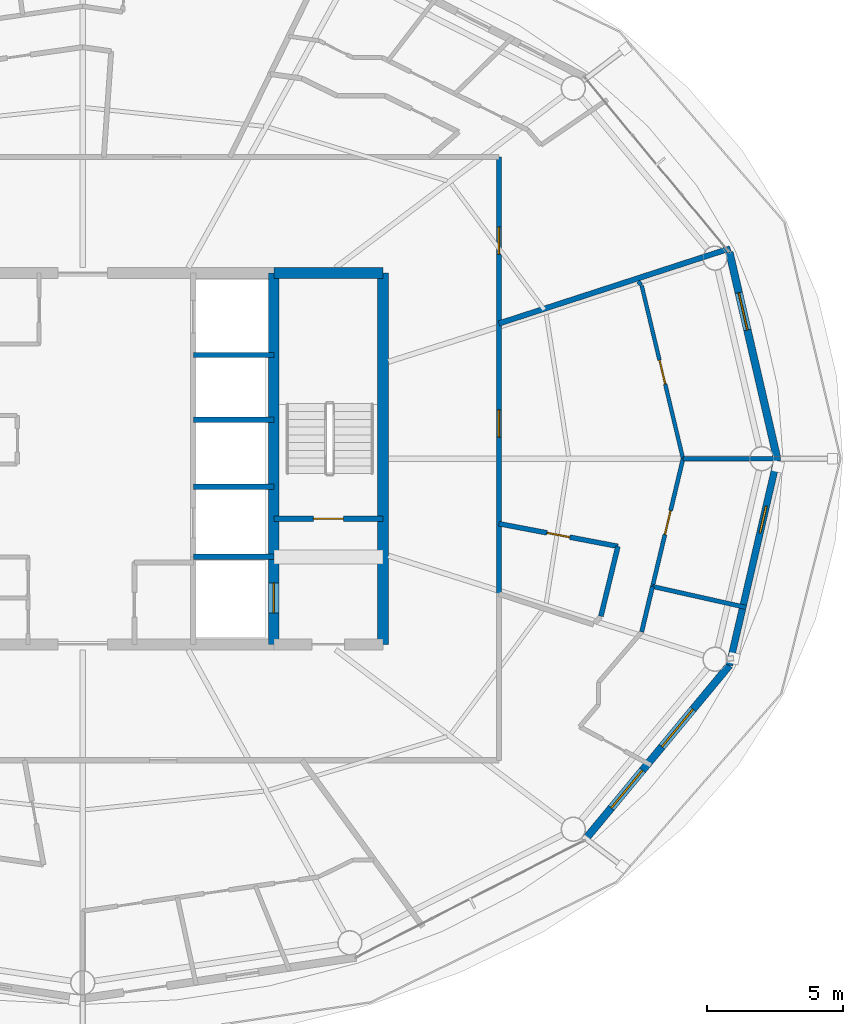
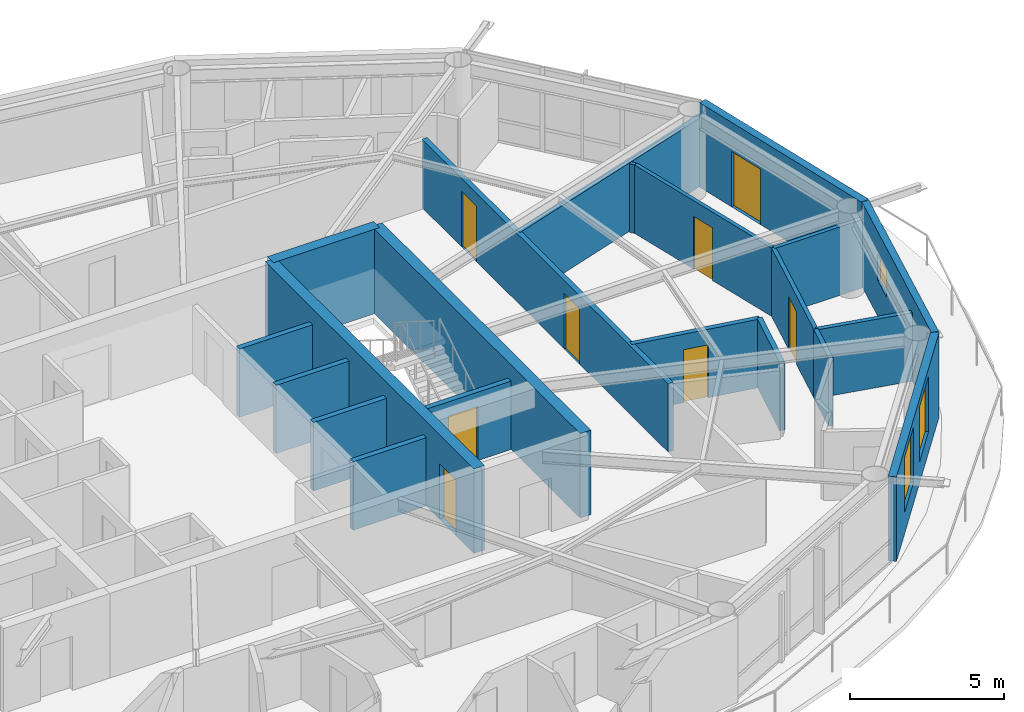
# One storey, part 18 of 23: 21 walls, 8 doors, 3 windows, 11 openings.
"""IFC4 building model written with IfcOpenShell, lengths in metres."""

from ifc_helpers import new_model, si_unit, direction, frame, frame_2d, origin, place, context, subcontext, project, spatial, rectangle, extrude, material, layer, layer_set, type_object, element, fill, save


model = new_model("IFC4")

# Units and contexts
model_context = context("Model", 3, precision=1e-05, world=origin(), true_north=direction((0.0, 1.0)))
body_context = subcontext(model_context, "Body", "Model", "MODEL_VIEW")
ifc_project = project(units=[si_unit("LENGTHUNIT", "METRE"), si_unit("AREAUNIT", "SQUARE_METRE"), si_unit("VOLUMEUNIT", "CUBIC_METRE"), si_unit("PLANEANGLEUNIT", "RADIAN"), si_unit("MASSUNIT", "GRAM", prefix="KILO")], contexts=[model_context])

# Site, building, storey
site_placement = place(None, origin())
site = spatial("IfcSite", under=ifc_project, at=site_placement, CompositionType="ELEMENT")
building_placement = place(site_placement, origin())
building = spatial("IfcBuilding", under=site, at=building_placement, Name="Sarneth Arch Tower", CompositionType="ELEMENT")
storey_placement = place(building_placement, frame((0.0, 0.0, 224.39990234375)))
storey = spatial("IfcBuildingStorey", under=building, at=storey_placement, Name="L57", CompositionType="ELEMENT", Elevation=224.39990234375)

# Walls
ifc_material_1 = material(Name="Concrete C50/60", Category="concrete")
ifc_layer_1 = layer(ifc_material_1, 0.39990234375)
ifc_layer_set_1 = layer_set([ifc_layer_1], Name="Concrete C50/60")
wall_type_1 = type_object("IfcWallType", Name="WALL-CORE-400", PredefinedType="SHEAR", material=ifc_layer_set_1)
wall_1_placement = place(storey_placement, frame((55.0, 48.800048828125, 0.0), z_axis=(0.0, 0.0, 1.0), x_axis=(1.0, 0.0, 0.0)))
element("IfcWall", 1, at=wall_1_placement, inside=storey, type_object=wall_type_1, Name="L57 Core shear wall N-E", PredefinedType="SHEAR", context=body_context, shape_type="SweptSolid", body=[
    extrude(rectangle(XDim=4.0, YDim=0.39990234375, at=frame_2d((2.0, 0.0))), origin(), (0.0, 0.0, 1.0), 3.360107421875),
])
wall_2_placement = place(storey_placement, frame((59.0, 35.199951171875, 0.0), z_axis=(0.0, 0.0, 1.0), x_axis=(0.0, 1.0, 0.0)))
element("IfcWall", 2, at=wall_2_placement, inside=storey, type_object=wall_type_1, Name="L57 Core shear wall E", PredefinedType="SHEAR", context=body_context, shape_type="SweptSolid", body=[
    extrude(rectangle(XDim=13.60009765625, YDim=0.39990234375, at=frame_2d((6.800048828125, 0.0))), origin(), (0.0, 0.0, 1.0), 3.360107421875),
])

# Wall, opening, door
wall_3_placement = place(storey_placement, frame((55.0, 35.199951171875, 0.0), z_axis=(0.0, 0.0, 1.0), x_axis=(0.0, 1.0, 0.0)))
wall_3 = element("IfcWall", 3, at=wall_3_placement, inside=storey, type_object=wall_type_1, Name="L57 Core shear wall WEB-E", PredefinedType="SHEAR", context=body_context, shape_type="SweptSolid", body=[
    extrude(rectangle(XDim=13.60009765625, YDim=0.39990234375, at=frame_2d((6.800048828125, 0.0))), origin(), (0.0, 0.0, 1.0), 3.360107421875),
])
opening_1_placement = place(wall_3_placement, frame((1.14990234375, 0.0, 0.0)))
opening_1 = element("IfcOpeningElement", 4, at=opening_1_placement, cuts=wall_3, Name="Opening LD-1", PredefinedType="OPENING", context=body_context, shape_type="SweptSolid", body=[
    extrude(rectangle(XDim=1.10009765625, YDim=2.199951171875, at=frame_2d((0.550048828125, 1.10009765625))), frame((0.0, 0.2099609375, 0.0), z_axis=(0.0, -1.0, 0.0), x_axis=(1.0, 0.0, 0.0)), (0.0, 0.0, 1.0), 0.419921875),
])
ifc_material_2 = material(Name="Brushed Stainless Steel 304 lift landing door", Category="steel")
door_type_1 = type_object("IfcDoorType", Name="DR-LIFT-SLIDE-1100", OperationType="SLIDING_TO_LEFT", PredefinedType="DOOR", material=ifc_material_2)
door_1_placement = place(opening_1_placement, origin())
door_1 = element("IfcDoor", 5, at=door_1_placement, inside=storey, type_object=door_type_1, Name="L57 Firefighting lift landing door FL-2", OperationType="SLIDING_TO_RIGHT", OverallHeight=2.199951171875, OverallWidth=1.10009765625, PredefinedType="DOOR", context=body_context, shape_type="SweptSolid", body=[
    extrude(rectangle(XDim=1.10009765625, YDim=2.199951171875, at=frame_2d((0.550048828125, 1.10009765625))), frame((0.0, 0.02490234375, 0.0), z_axis=(0.0, -1.0, 0.0), x_axis=(1.0, 0.0, 0.0)), (0.0, 0.0, 1.0), 0.050048828125),
])
fill(opening_1, door_1)

# Wall, openings, doors
ifc_material_3 = material(Name="Double steel-stud corridor fire wall", Category="steel")
ifc_layer_2 = layer(ifc_material_3, 0.18994140625)
ifc_layer_set_2 = layer_set([ifc_layer_2], Name="Double steel-stud corridor fire wall")
wall_type_2 = type_object("IfcWallType", Name="WALL-CORR-190", PredefinedType="PARTITIONING", material=ifc_layer_set_2)
wall_4_placement = place(storey_placement, frame((63.25, 53.050048828125, 0.0), z_axis=(0.0, 0.0, 1.0), x_axis=(0.0, -1.0, 0.0)))
wall_4 = element("IfcWall", 6, at=wall_4_placement, inside=storey, type_object=wall_type_2, Name="L57 Interior partition W-L57-TP-019", PredefinedType="PARTITIONING", context=body_context, shape_type="SweptSolid", body=[
    extrude(rectangle(XDim=16.03857421875, YDim=0.18994140625, at=frame_2d((8.019287109375, 0.0))), origin(), (0.0, 0.0, 1.0), 2.72021484375),
])
opening_2_placement = place(wall_4_placement, frame((9.2626953125, 0.0, 0.0)))
opening_2 = element("IfcOpeningElement", 7, at=opening_2_placement, cuts=wall_4, Name="Opening FD-08", PredefinedType="OPENING", context=body_context, shape_type="SweptSolid", body=[
    extrude(rectangle(XDim=1.0, YDim=2.199951171875, at=frame_2d((0.5, 1.10009765625))), frame((0.0, 0.10498046875, 0.0), z_axis=(0.0, -1.0, 0.0), x_axis=(1.0, 0.0, 0.0)), (0.0, 0.0, 1.0), 0.2099609375),
])
opening_3_placement = place(wall_4_placement, frame((2.564208984375, 0.0, 0.0)))
opening_3 = element("IfcOpeningElement", 8, at=opening_3_placement, cuts=wall_4, Name="Opening FD-08", PredefinedType="OPENING", context=body_context, shape_type="SweptSolid", body=[
    extrude(rectangle(XDim=1.0, YDim=2.199951171875, at=frame_2d((0.5, 1.10009765625))), frame((0.0, 0.10498046875, 0.0), z_axis=(0.0, -1.0, 0.0), x_axis=(1.0, 0.0, 0.0)), (0.0, 0.0, 1.0), 0.2099609375),
])
ifc_material_4 = material(Name="Hardwood timber acoustic fire door", Category="wood")
door_type_2 = type_object("IfcDoorType", Name="DR-FD60-1000", OperationType="SINGLE_SWING_LEFT", PredefinedType="DOOR", material=ifc_material_4)
door_2_placement = place(opening_2_placement, origin())
door_2 = element("IfcDoor", 9, at=door_2_placement, inside=storey, type_object=door_type_2, Name="L57 Interior door DR-L57-U7-ENT", OperationType="SINGLE_SWING_LEFT", OverallHeight=2.199951171875, OverallWidth=1.0, PredefinedType="DOOR", context=body_context, shape_type="SweptSolid", body=[
    extrude(rectangle(XDim=1.0, YDim=2.199951171875, at=frame_2d((0.5, 1.10009765625))), frame((0.0, 0.02490234375, 0.0), z_axis=(0.0, -1.0, 0.0), x_axis=(1.0, 0.0, 0.0)), (0.0, 0.0, 1.0), 0.050048828125),
])
fill(opening_2, door_2)
door_3_placement = place(opening_3_placement, origin())
door_3 = element("IfcDoor", 10, at=door_3_placement, inside=storey, type_object=door_type_2, Name="L57 Interior door DR-L57-U1-ENT", OperationType="SINGLE_SWING_LEFT", OverallHeight=2.199951171875, OverallWidth=1.0, PredefinedType="DOOR", context=body_context, shape_type="SweptSolid", body=[
    extrude(rectangle(XDim=1.0, YDim=2.199951171875, at=frame_2d((0.5, 1.10009765625))), frame((0.0, 0.02490234375, 0.0), z_axis=(0.0, -1.0, 0.0), x_axis=(1.0, 0.0, 0.0)), (0.0, 0.0, 1.0), 0.050048828125),
])
fill(opening_3, door_3)

# Wall, opening, window
ifc_material_5 = material(Name="Extruded terracotta rainscreen on Concrete C40/50 backing", Category="masonry")
ifc_layer_3 = layer(ifc_material_5, 0.25)
ifc_layer_set_3 = layer_set([ifc_layer_3], Name="Extruded terracotta rainscreen on Concrete C40/50 backing")
wall_type_3 = type_object("IfcWallType", Name="WALL-EXT-SPAND-250", PredefinedType="SOLIDWALL", material=ifc_layer_set_3)
wall_5_placement = place(storey_placement, frame((71.69384765625, 34.430419921875, 0.0), z_axis=(0.0, 0.0, 1.0), x_axis=(0.225635078214, 0.974211892495, 0.0)))
wall_5 = element("IfcWall", 11, at=wall_5_placement, inside=storey, type_object=wall_type_3, Name="L57 Terracotta perimeter wall 16", PredefinedType="SOLIDWALL", context=body_context, shape_type="SweptSolid", body=[
    extrude(rectangle(XDim=7.77001953125, YDim=0.25, at=frame_2d((3.885009765625, 0.0))), origin(), (0.0, 0.0, 1.0), 3.360107421875),
])
opening_4_placement = place(wall_5_placement, frame((4.98291015625, 0.0, 1.419921875)))
opening_4 = element("IfcOpeningElement", 12, at=opening_4_placement, cuts=wall_5, Name="Opening W-14", PredefinedType="OPENING", context=body_context, shape_type="SweptSolid", body=[
    extrude(rectangle(XDim=1.0, YDim=1.050048828125, at=frame_2d((0.5, 0.52490234375))), frame((0.0, 0.135009765625, 0.0), z_axis=(0.0, -1.0, 0.0), x_axis=(1.0, 0.0, 0.0)), (0.0, 0.0, 1.0), 0.27001953125),
])
ifc_material_6 = material(Name="Thermally broken Aluminium 6063-T6 and low-e laminated IGU", Category="aluminium")
window_type_1 = type_object("IfcWindowType", Name="WIN-TWR-1000x1050", PartitioningType="SINGLE_PANEL", PredefinedType="WINDOW", material=ifc_material_6)
window_1_placement = place(opening_4_placement, origin())
window_1 = element("IfcWindow", 13, at=window_1_placement, inside=storey, type_object=window_type_1, Name="L57 Dwelling bedroom window 05", OverallHeight=1.050048828125, OverallWidth=1.0, PartitioningType="SINGLE_PANEL", PredefinedType="WINDOW", context=body_context, shape_type="SweptSolid", body=[
    extrude(rectangle(XDim=1.0, YDim=1.050048828125, at=frame_2d((0.5, 0.52490234375))), frame((0.0, 0.030029296875, 0.0), z_axis=(0.0, -1.0, 0.0), x_axis=(1.0, 0.0, 0.0)), (0.0, 0.0, 1.0), 0.06005859375),
])
fill(opening_4, window_1)

# Wall, opening, door
ifc_material_7 = material(Name="Extruded terracotta rainscreen on Concrete C40/50 backing", Category="masonry")
ifc_layer_4 = layer(ifc_material_7, 0.280029296875)
ifc_layer_set_4 = layer_set([ifc_layer_4], Name="Extruded terracotta rainscreen on Concrete C40/50 backing")
wall_type_4 = type_object("IfcWallType", Name="WALL-EXT-TERRA-280", PredefinedType="SOLIDWALL", material=ifc_layer_set_4)
wall_6_placement = place(storey_placement, frame((73.447021484375, 42.0, 0.0), z_axis=(0.0, 0.0, 1.0), x_axis=(-0.225635078214, 0.974211892495, 0.0)))
wall_6 = element("IfcWall", 14, at=wall_6_placement, inside=storey, type_object=wall_type_4, Name="L57 Terracotta perimeter wall 01", PredefinedType="SOLIDWALL", context=body_context, shape_type="SweptSolid", body=[
    extrude(rectangle(XDim=7.77001953125, YDim=0.280029296875, at=frame_2d((3.885009765625, 0.0))), origin(), (0.0, 0.0, 1.0), 3.360107421875),
])
opening_5_placement = place(wall_6_placement, frame((4.842041015625, 0.0, 0.0)))
opening_5 = element("IfcOpeningElement", 15, at=opening_5_placement, cuts=wall_6, Name="Opening BD-2", PredefinedType="OPENING", context=body_context, shape_type="SweptSolid", body=[
    extrude(rectangle(XDim=1.39990234375, YDim=2.199951171875, at=frame_2d((0.699951171875, 1.10009765625))), frame((0.0, 0.14990234375, 0.0), z_axis=(0.0, -1.0, 0.0), x_axis=(1.0, 0.0, 0.0)), (0.0, 0.0, 1.0), 0.300048828125),
])
ifc_material_8 = material(Name="Thermally broken Aluminium 6063-T6 and laminated safety glass", Category="aluminium")
door_type_3 = type_object("IfcDoorType", Name="DR-BALC-GLZ-1400", OperationType="SINGLE_SWING_LEFT", PredefinedType="DOOR", material=ifc_material_8)
door_4_placement = place(opening_5_placement, origin())
door_4 = element("IfcDoor", 16, at=door_4_placement, inside=storey, type_object=door_type_3, Name="L57 Balcony glazed door 01", OperationType="SINGLE_SWING_LEFT", OverallHeight=2.199951171875, OverallWidth=1.39990234375, PredefinedType="DOOR", context=body_context, shape_type="SweptSolid", body=[
    extrude(rectangle(XDim=1.39990234375, YDim=2.199951171875, at=frame_2d((0.699951171875, 1.10009765625))), frame((0.0, 0.02490234375, 0.0), z_axis=(0.0, -1.0, 0.0), x_axis=(1.0, 0.0, 0.0)), (0.0, 0.0, 1.0), 0.050048828125),
])
fill(opening_5, door_4)

# Wall, openings, windows
wall_7_placement = place(storey_placement, frame((66.382568359375, 28.013427734375, 0.0), z_axis=(0.0, 0.0, 1.0), x_axis=(0.63761509934, 0.770355103243, 0.0)))
wall_7 = element("IfcWall", 17, at=wall_7_placement, inside=storey, type_object=wall_type_4, Name="L57 Terracotta perimeter wall 15", PredefinedType="SOLIDWALL", context=body_context, shape_type="SweptSolid", body=[
    extrude(rectangle(XDim=8.329833984375, YDim=0.280029296875, at=frame_2d((4.1650390625, 0.0))), origin(), (0.0, 0.0, 1.0), 3.360107421875),
])
opening_6_placement = place(wall_7_placement, frame((1.5419921875, 0.0, 0.85009765625)))
opening_6 = element("IfcOpeningElement", 18, at=opening_6_placement, cuts=wall_7, Name="Opening W-04", PredefinedType="OPENING", context=body_context, shape_type="SweptSolid", body=[
    extrude(rectangle(XDim=1.800048828125, YDim=2.199951171875, at=frame_2d((0.89990234375, 1.10009765625))), frame((0.0, 0.14990234375, 0.0), z_axis=(0.0, -1.0, 0.0), x_axis=(1.0, 0.0, 0.0)), (0.0, 0.0, 1.0), 0.300048828125),
])
opening_7_placement = place(wall_7_placement, frame((4.447021484375, 0.0, 0.85009765625)))
opening_7 = element("IfcOpeningElement", 19, at=opening_7_placement, cuts=wall_7, Name="Opening W-04", PredefinedType="OPENING", context=body_context, shape_type="SweptSolid", body=[
    extrude(rectangle(XDim=1.800048828125, YDim=2.199951171875, at=frame_2d((0.89990234375, 1.10009765625))), frame((0.0, 0.14990234375, 0.0), z_axis=(0.0, -1.0, 0.0), x_axis=(1.0, 0.0, 0.0)), (0.0, 0.0, 1.0), 0.300048828125),
])
ifc_material_9 = material(Name="Thermally broken Aluminium 6063-T6 and low-e laminated IGU", Category="aluminium")
window_type_2 = type_object("IfcWindowType", Name="WIN-TWR-1800x2200", PartitioningType="DOUBLE_PANEL_VERTICAL", PredefinedType="WINDOW", material=ifc_material_9)
window_2_placement = place(opening_6_placement, origin())
window_2 = element("IfcWindow", 20, at=window_2_placement, inside=storey, type_object=window_type_2, Name="L57 Exterior window 15A", OverallHeight=2.199951171875, OverallWidth=1.800048828125, PartitioningType="SINGLE_PANEL", PredefinedType="WINDOW", context=body_context, shape_type="SweptSolid", body=[
    extrude(rectangle(XDim=1.800048828125, YDim=2.199951171875, at=frame_2d((0.89990234375, 1.10009765625))), frame((0.0, 0.030029296875, 0.0), z_axis=(0.0, -1.0, 0.0), x_axis=(1.0, 0.0, 0.0)), (0.0, 0.0, 1.0), 0.06005859375),
])
fill(opening_6, window_2)
window_3_placement = place(opening_7_placement, origin())
window_3 = element("IfcWindow", 21, at=window_3_placement, inside=storey, type_object=window_type_2, Name="L57 Exterior window 15B", OverallHeight=2.199951171875, OverallWidth=1.800048828125, PartitioningType="SINGLE_PANEL", PredefinedType="WINDOW", context=body_context, shape_type="SweptSolid", body=[
    extrude(rectangle(XDim=1.800048828125, YDim=2.199951171875, at=frame_2d((0.89990234375, 1.10009765625))), frame((0.0, 0.030029296875, 0.0), z_axis=(0.0, -1.0, 0.0), x_axis=(1.0, 0.0, 0.0)), (0.0, 0.0, 1.0), 0.06005859375),
])
fill(opening_7, window_3)

# Wall, opening, door
ifc_material_10 = material(Name="Apartment internal stud partition", Category="gypsum")
ifc_layer_5 = layer(ifc_material_10, 0.139892578125)
ifc_layer_set_5 = layer_set([ifc_layer_5], Name="Apartment internal stud partition")
wall_type_5 = type_object("IfcWallType", Name="WALL-PART-140", PredefinedType="PARTITIONING", material=ifc_layer_set_5)
wall_8_placement = place(storey_placement, frame((69.996337890625, 42.0, 0.0), z_axis=(0.0, 0.0, 1.0), x_axis=(-0.232298462197, 0.972644551962, 0.0)))
wall_8 = element("IfcWall", 22, at=wall_8_placement, inside=storey, type_object=wall_type_5, Name="L57 Interior partition W-L57-TP-104", PredefinedType="PARTITIONING", context=body_context, shape_type="SweptSolid", body=[
    extrude(rectangle(XDim=6.5234375, YDim=0.139892578125, at=frame_2d((3.26171875, 0.0))), origin(), (0.0, 0.0, 1.0), 2.72021484375),
])
opening_8_placement = place(wall_8_placement, frame((2.811767578125, 0.0, 0.0)))
opening_8 = element("IfcOpeningElement", 23, at=opening_8_placement, cuts=wall_8, Name="Opening ID-01", PredefinedType="OPENING", context=body_context, shape_type="SweptSolid", body=[
    extrude(rectangle(XDim=0.89990234375, YDim=2.10009765625, at=frame_2d((0.449951171875, 1.050048828125))), frame((0.0, 0.079833984375, 0.0), z_axis=(0.0, -1.0, 0.0), x_axis=(1.0, 0.0, 0.0)), (0.0, 0.0, 1.0), 0.159912109375),
])
ifc_material_11 = material(Name="Engineered hardwood flush door", Category="wood")
door_type_4 = type_object("IfcDoorType", Name="DR-INT-900", OperationType="SINGLE_SWING_LEFT", PredefinedType="DOOR", material=ifc_material_11)
door_5_placement = place(opening_8_placement, origin())
door_5 = element("IfcDoor", 24, at=door_5_placement, inside=storey, type_object=door_type_4, Name="L57 Interior door DR-L57-U7-BED2", OperationType="SINGLE_SWING_RIGHT", OverallHeight=2.10009765625, OverallWidth=0.89990234375, PredefinedType="DOOR", context=body_context, shape_type="SweptSolid", body=[
    extrude(rectangle(XDim=0.89990234375, YDim=2.10009765625, at=frame_2d((0.449951171875, 1.050048828125))), frame((0.0, 0.02490234375, 0.0), z_axis=(0.0, -1.0, 0.0), x_axis=(1.0, 0.0, 0.0)), (0.0, 0.0, 1.0), 0.050048828125),
])
fill(opening_8, door_5)

# Wall
wall_9_placement = place(storey_placement, frame((68.468017578125, 48.360107421875, 0.0), z_axis=(0.0, 0.0, 1.0), x_axis=(-0.649065422773, 0.760732592282, 0.0)))
element("IfcWall", 25, at=wall_9_placement, inside=storey, type_object=wall_type_5, Name="L57 Interior partition W-L57-TP-105", PredefinedType="PARTITIONING", context=body_context, shape_type="SweptSolid", body=[
    extrude(rectangle(XDim=0.1748046875, YDim=0.139892578125, at=frame_2d((0.08740234375, 0.0))), origin(), (0.0, 0.0, 1.0), 2.72021484375),
])

# Wall, opening, door
ifc_material_12 = material(Name="Acoustic gypsum stud partition", Category="gypsum")
ifc_layer_6 = layer(ifc_material_12, 0.14990234375)
ifc_layer_set_6 = layer_set([ifc_layer_6], Name="Acoustic gypsum stud partition")
wall_type_6 = type_object("IfcWallType", Name="WALL-PART-150", PredefinedType="PARTITIONING", material=ifc_layer_set_6)
wall_10_placement = place(storey_placement, frame((68.878173828125, 37.318603515625, 0.0), z_axis=(0.0, 0.0, 1.0), x_axis=(0.232317655908, 0.972639967693, 0.0)))
wall_10 = element("IfcWall", 26, at=wall_10_placement, inside=storey, type_object=wall_type_6, Name="L57 Interior partition W-L57-TP-103", PredefinedType="PARTITIONING", context=body_context, shape_type="SweptSolid", body=[
    extrude(rectangle(XDim=4.81298828125, YDim=0.14990234375, at=frame_2d((2.406494140625, 0.0))), origin(), (0.0, 0.0, 1.0), 2.72021484375),
])
opening_9_placement = place(wall_10_placement, frame((1.95654296875, 0.0, 0.0)))
opening_9 = element("IfcOpeningElement", 27, at=opening_9_placement, cuts=wall_10, Name="Opening ID-01", PredefinedType="OPENING", context=body_context, shape_type="SweptSolid", body=[
    extrude(rectangle(XDim=0.89990234375, YDim=2.10009765625, at=frame_2d((0.449951171875, 1.050048828125))), frame((0.0, 0.0849609375, 0.0), z_axis=(0.0, -1.0, 0.0), x_axis=(1.0, 0.0, 0.0)), (0.0, 0.0, 1.0), 0.169921875),
])
door_6_placement = place(opening_9_placement, origin())
door_6 = element("IfcDoor", 28, at=door_6_placement, inside=storey, type_object=door_type_4, Name="L57 Interior door DR-L57-U7-BED1", OperationType="SINGLE_SWING_LEFT", OverallHeight=2.10009765625, OverallWidth=0.89990234375, PredefinedType="DOOR", context=body_context, shape_type="SweptSolid", body=[
    extrude(rectangle(XDim=0.89990234375, YDim=2.10009765625, at=frame_2d((0.449951171875, 1.050048828125))), frame((0.0, 0.02490234375, 0.0), z_axis=(0.0, -1.0, 0.0), x_axis=(1.0, 0.0, 0.0)), (0.0, 0.0, 1.0), 0.050048828125),
])
fill(opening_9, door_6)

# Walls
wall_11_placement = place(storey_placement, frame((69.996337890625, 42.0, 0.0), z_axis=(0.0, 0.0, 1.0), x_axis=(1.0, 0.0, 0.0)))
element("IfcWall", 29, at=wall_11_placement, inside=storey, type_object=wall_type_6, Name="L57 Interior partition W-L57-TP-107", PredefinedType="PARTITIONING", context=body_context, shape_type="SweptSolid", body=[
    extrude(rectangle(XDim=3.570556640625, YDim=0.14990234375, at=frame_2d((1.78515625, 0.0))), origin(), (0.0, 0.0, 1.0), 2.72021484375),
])
ifc_material_13 = material(Name="Kitchen wet service chase wall", Category="gypsum")
ifc_layer_7 = layer(ifc_material_13, 0.159912109375)
ifc_layer_set_7 = layer_set([ifc_layer_7], Name="Kitchen wet service chase wall")
wall_type_7 = type_object("IfcWallType", Name="WALL-PLUMB-160", PredefinedType="PLUMBINGWALL", material=ifc_layer_set_7)
wall_12_placement = place(storey_placement, frame((72.3076171875, 36.549560546875, 0.0), z_axis=(0.0, 0.0, 1.0), x_axis=(-0.975766823268, 0.218812948907, 0.0)))
element("IfcWall", 30, at=wall_12_placement, inside=storey, type_object=wall_type_7, Name="L57 Interior partition W-L57-TP-106", PredefinedType="PLUMBINGWALL", context=body_context, shape_type="SweptSolid", body=[
    extrude(rectangle(XDim=3.5146484375, YDim=0.159912109375, at=frame_2d((1.75732421875, 0.0))), origin(), (0.0, 0.0, 1.0), 2.72021484375),
])
wall_13_placement = place(storey_placement, frame((68.48095703125, 35.655029296875, 0.0), z_axis=(0.0, 0.0, 1.0), x_axis=(0.232244448499, 0.972657450566, 0.0)))
element("IfcWall", 31, at=wall_13_placement, inside=storey, type_object=wall_type_7, Name="L57 Interior partition W-L57-TP-098", PredefinedType="PLUMBINGWALL", context=body_context, shape_type="SweptSolid", body=[
    extrude(rectangle(XDim=1.71044921875, YDim=0.159912109375, at=frame_2d((0.855224609375, 0.0))), origin(), (0.0, 0.0, 1.0), 2.72021484375),
])

# Wall, opening, door
ifc_material_14 = material(Name="Moisture-resistant plumbing chase wall", Category="gypsum")
ifc_layer_8 = layer(ifc_material_14, 0.179931640625)
ifc_layer_set_8 = layer_set([ifc_layer_8], Name="Moisture-resistant plumbing chase wall")
wall_type_8 = type_object("IfcWallType", Name="WALL-PLUMB-180", PredefinedType="PLUMBINGWALL", material=ifc_layer_set_8)
wall_14_placement = place(storey_placement, frame((67.61083984375, 38.789306640625, 0.0), z_axis=(0.0, 0.0, 1.0), x_axis=(-0.982402054119, 0.186778489295, 0.0)))
wall_14 = element("IfcWall", 32, at=wall_14_placement, inside=storey, type_object=wall_type_8, Name="L57 Interior partition W-L57-TP-102", PredefinedType="PLUMBINGWALL", context=body_context, shape_type="SweptSolid", body=[
    extrude(rectangle(XDim=4.43896484375, YDim=0.179931640625, at=frame_2d((2.219482421875, 0.0))), origin(), (0.0, 0.0, 1.0), 2.72021484375),
])
opening_10_placement = place(wall_14_placement, frame((1.79443359375, 0.0, 0.0)))
opening_10 = element("IfcOpeningElement", 33, at=opening_10_placement, cuts=wall_14, Name="Opening ID-02", PredefinedType="OPENING", context=body_context, shape_type="SweptSolid", body=[
    extrude(rectangle(XDim=0.85009765625, YDim=2.10009765625, at=frame_2d((0.425048828125, 1.050048828125))), frame((0.0, 0.099853515625, 0.0), z_axis=(0.0, -1.0, 0.0), x_axis=(1.0, 0.0, 0.0)), (0.0, 0.0, 1.0), 0.199951171875),
])
ifc_material_15 = material(Name="Moisture-resistant bathroom timber door", Category="wood")
door_type_5 = type_object("IfcDoorType", Name="DR-INT-850", OperationType="SINGLE_SWING_RIGHT", PredefinedType="DOOR", material=ifc_material_15)
door_7_placement = place(opening_10_placement, origin())
door_7 = element("IfcDoor", 34, at=door_7_placement, inside=storey, type_object=door_type_5, Name="L57 Interior door DR-L57-U7-BATH", OperationType="SINGLE_SWING_LEFT", OverallHeight=2.10009765625, OverallWidth=0.85009765625, PredefinedType="DOOR", context=body_context, shape_type="SweptSolid", body=[
    extrude(rectangle(XDim=0.85009765625, YDim=2.10009765625, at=frame_2d((0.425048828125, 1.050048828125))), frame((0.0, 0.02490234375, 0.0), z_axis=(0.0, -1.0, 0.0), x_axis=(1.0, 0.0, 0.0)), (0.0, 0.0, 1.0), 0.050048828125),
])
fill(opening_10, door_7)

# Wall
wall_15_placement = place(storey_placement, frame((66.987548828125, 36.22900390625, 0.0), z_axis=(0.0, 0.0, 1.0), x_axis=(0.236535980753, 0.971622730183, 0.0)))
element("IfcWall", 35, at=wall_15_placement, inside=storey, type_object=wall_type_8, Name="L57 Interior partition W-L57-TP-101", PredefinedType="PLUMBINGWALL", context=body_context, shape_type="SweptSolid", body=[
    extrude(rectangle(XDim=2.635009765625, YDim=0.179931640625, at=frame_2d((1.3173828125, 0.0))), origin(), (0.0, 0.0, 1.0), 2.72021484375),
])

# Wall, opening, door
ifc_material_16 = material(Name="Aerated concrete blockwork C25/30", Category="masonry")
ifc_layer_9 = layer(ifc_material_16, 0.199951171875)
ifc_layer_set_9 = layer_set([ifc_layer_9], Name="Aerated concrete blockwork C25/30")
wall_type_9 = type_object("IfcWallType", Name="WALL-SHAFT-200", PredefinedType="SOLIDWALL", material=ifc_layer_set_9)
wall_16_placement = place(storey_placement, frame((55.0, 39.800048828125, 0.0), z_axis=(0.0, 0.0, 1.0), x_axis=(1.0, 0.0, 0.0)))
wall_16 = element("IfcWall", 36, at=wall_16_placement, inside=storey, type_object=wall_type_9, Name="L57 Interior partition W-L57-ST2-S", PredefinedType="SOLIDWALL", context=body_context, shape_type="SweptSolid", body=[
    extrude(rectangle(XDim=4.0, YDim=0.199951171875, at=frame_2d((2.0, 0.0))), origin(), (0.0, 0.0, 1.0), 2.72021484375),
])
opening_11_placement = place(wall_16_placement, frame((1.449951171875, 0.0, 0.0)))
opening_11 = element("IfcOpeningElement", 37, at=opening_11_placement, cuts=wall_16, Name="Opening FD-03", PredefinedType="OPENING", context=body_context, shape_type="SweptSolid", body=[
    extrude(rectangle(XDim=1.10009765625, YDim=2.14990234375, at=frame_2d((0.550048828125, 1.074951171875))), frame((0.0, 0.10986328125, 0.0), z_axis=(0.0, -1.0, 0.0), x_axis=(1.0, 0.0, 0.0)), (0.0, 0.0, 1.0), 0.219970703125),
])
ifc_material_17 = material(Name="Galvanised Steel S275 fire door set", Category="steel")
door_type_6 = type_object("IfcDoorType", Name="DR-FD90-1100", OperationType="SINGLE_SWING_LEFT", PredefinedType="DOOR", material=ifc_material_17)
door_8_placement = place(opening_11_placement, origin())
door_8 = element("IfcDoor", 38, at=door_8_placement, inside=storey, type_object=door_type_6, Name="L57 Interior door DR-L57-ST2", OperationType="SINGLE_SWING_RIGHT", OverallHeight=2.14990234375, OverallWidth=1.10009765625, PredefinedType="DOOR", context=body_context, shape_type="SweptSolid", body=[
    extrude(rectangle(XDim=1.10009765625, YDim=2.14990234375, at=frame_2d((0.550048828125, 1.074951171875))), frame((0.0, 0.02490234375, 0.0), z_axis=(0.0, -1.0, 0.0), x_axis=(1.0, 0.0, 0.0)), (0.0, 0.0, 1.0), 0.050048828125),
])
fill(opening_11, door_8)

# Walls
for number, where, z_axis, x_axis, name in (
    (39, (52.050048828125, 38.39990234375, 0.0), (0.0, 0.0, 1.0), (1.0, 0.0, 0.0), "L57 Interior partition W-L57-FL2-N"),
    (40, (52.050048828125, 40.97998046875, 0.0), (0.0, 0.0, 1.0), (1.0, 0.0, 0.0), "L57 Interior partition W-L57-EB-DIV-4098"),
    (41, (52.050048828125, 43.419921875, 0.0), (0.0, 0.0, 1.0), (1.0, 0.0, 0.0), "L57 Interior partition W-L57-EB-DIV-4342"),
    (42, (52.050048828125, 45.800048828125, 0.0), (0.0, 0.0, 1.0), (1.0, 0.0, 0.0), "L57 Interior partition W-L57-EB-DIV-4580"),
):
    element("IfcWall", number, at=place(storey_placement, frame(where, z_axis=z_axis, x_axis=x_axis)), inside=storey, type_object=wall_type_9, Name=name, PredefinedType="SOLIDWALL", context=body_context, shape_type="SweptSolid", body=[
        extrude(rectangle(XDim=2.949951171875, YDim=0.199951171875, at=frame_2d((1.47509765625, 0.0))), origin(), (0.0, 0.0, 1.0), 2.72021484375),
    ])
ifc_material_18 = material(Name="Double steel-stud acoustic drywall", Category="steel")
ifc_layer_10 = layer(ifc_material_18, 0.199951171875)
ifc_layer_set_10 = layer_set([ifc_layer_10], Name="Double steel-stud acoustic drywall")
wall_type_10 = type_object("IfcWallType", Name="WALL-UNIT-200", PredefinedType="PARTITIONING", material=ifc_layer_set_10)
wall_17_placement = place(storey_placement, frame((63.25, 46.955078125, 0.0), z_axis=(0.0, 0.0, 1.0), x_axis=(0.951059035429, 0.30900924117, 0.0)))
element("IfcWall", 43, at=wall_17_placement, inside=storey, type_object=wall_type_10, Name="L57 Interior partition W-L57-TP-035", PredefinedType="PARTITIONING", context=body_context, shape_type="SweptSolid", body=[
    extrude(rectangle(XDim=8.90966796875, YDim=0.199951171875, at=frame_2d((4.454833984375, 0.0))), origin(), (0.0, 0.0, 1.0), 2.72021484375),
])

save(model, "model.ifc")
